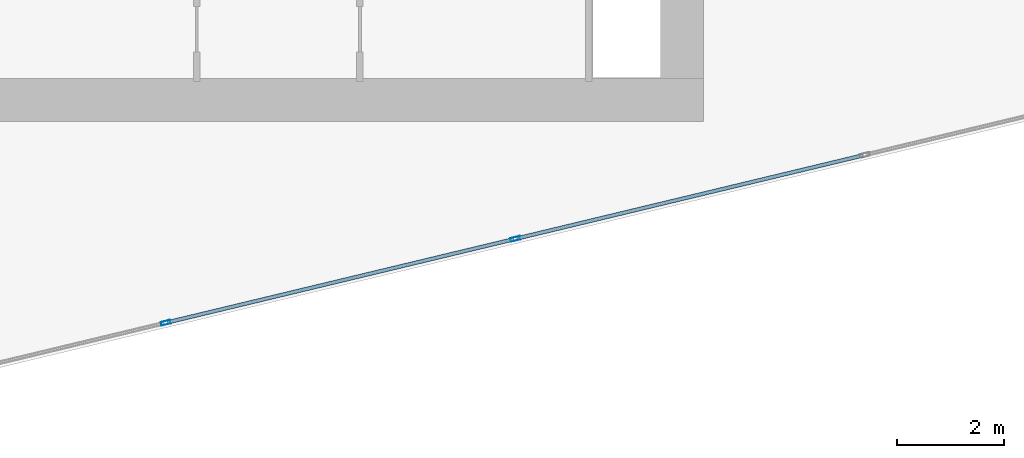
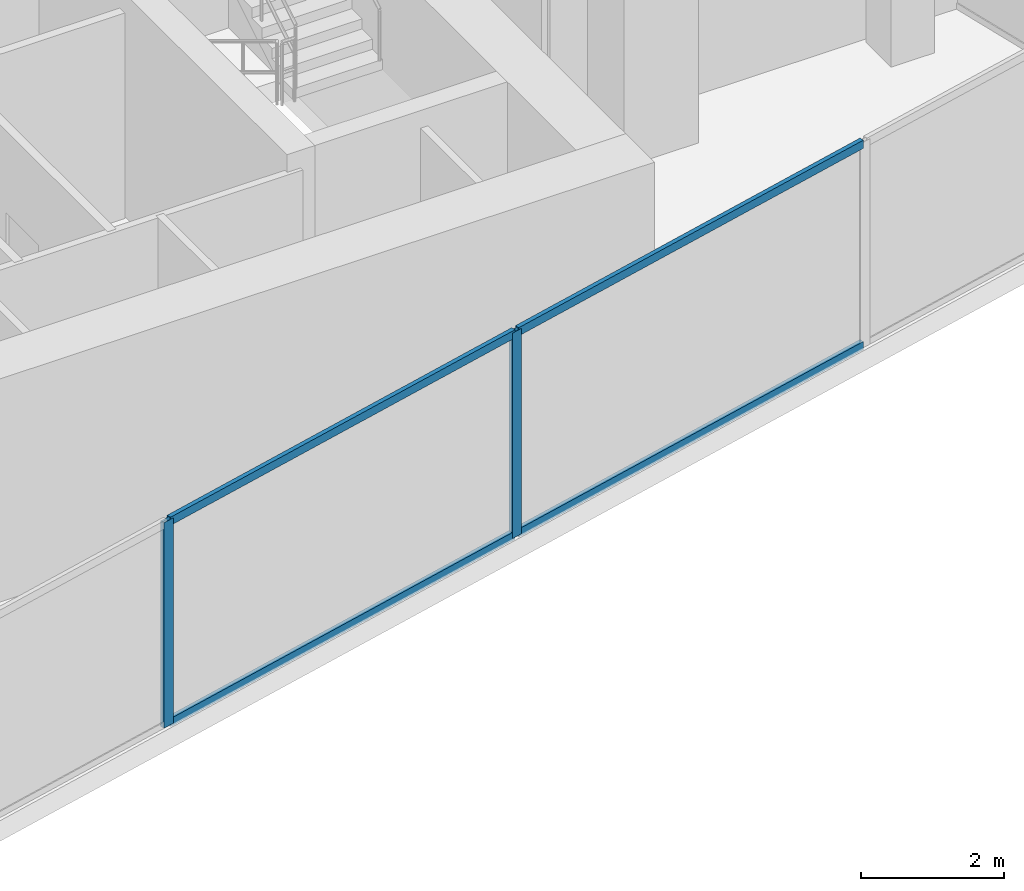
# One storey, part 4 of 19: 6 members, 1 element without a shape of its own.
"""IFC4 building model written with IfcOpenShell, lengths in metres."""

from ifc_helpers import new_model, si_unit, direction, frame, origin, origin_2d, place, context, subcontext, project, spatial, hollow_rectangle, extrude, source, transform, mapped, material, material_profile, profile_set, type_object, type_shapes, element, aggregate, save


model = new_model("IFC4")

# Units and contexts
model_context = context("Model", 3, precision=1e-05, world=origin(), true_north=direction((0.0, 1.0)))
body_context = subcontext(model_context, "Body", "Model", "MODEL_VIEW")
ifc_project = project(units=[si_unit("LENGTHUNIT", "METRE"), si_unit("AREAUNIT", "SQUARE_METRE"), si_unit("VOLUMEUNIT", "CUBIC_METRE"), si_unit("PLANEANGLEUNIT", "RADIAN"), si_unit("MASSUNIT", "GRAM", prefix="KILO")], contexts=[model_context])

# Site, building, storey
site_placement = place(None, origin())
site = spatial("IfcSite", under=ifc_project, at=site_placement, CompositionType="ELEMENT")
building_placement = place(site_placement, origin())
building = spatial("IfcBuilding", under=site, at=building_placement, Name="Krantzveldt Concourse Tower", CompositionType="ELEMENT")
storey_placement = place(building_placement, frame((0.0, 0.0, 363.25)))
storey = spatial("IfcBuildingStorey", under=building, at=storey_placement, Name="L89", CompositionType="ELEMENT", Elevation=363.25)

# Curtain wall, members
ifc_material = material(Name="Anodised aluminium 6063-T6", Category="aluminium")
curtain_wall_type = type_object("IfcCurtainWallType", Name="CW7", PredefinedType="USERDEFINED", material=ifc_material)
curtain_wall_placement = place(storey_placement, origin())
curtain_wall = element("IfcCurtainWall", 1, at=curtain_wall_placement, inside=storey, type_object=curtain_wall_type, Name="CW-L89-BASE-07", ObjectType="UNITISED CURTAIN WALL", PredefinedType="USERDEFINED")
ifc_material_profile_1 = material_profile(ifc_material, hollow_rectangle(XDim=0.070068359375, YDim=0.139892578125, WallThickness=0.0048828125, at=origin_2d()), Name="Anodised aluminium 6063-T6", Category="aluminium")
ifc_profile_set_1 = profile_set([ifc_material_profile_1], Name="Anodised aluminium 6063-T6 - ALU-TRAN 140x70x5")
member_type_1 = type_object("IfcMemberType", Name="CW-TRN-150", PredefinedType="USERDEFINED", material=ifc_profile_set_1)
shared_shape_1 = source(origin(), body_context, "Body", "SweptSolid", [
    extrude(hollow_rectangle(XDim=0.070068359375, YDim=0.139892578125, WallThickness=0.0048828125, at=origin_2d()), origin(), (0.0, 0.0, 1.0), 6.6298828125),
])
type_shapes(member_type_1, [shared_shape_1])
member_1_placement = place(storey_placement, frame((33.93359375, 6.756591796875, 0.034912109375), z_axis=(0.972374264437, 0.233427268888, 0.0), x_axis=(-0.233427268888, 0.972374264437, 0.0)))
member_1 = element("IfcMember", 2, at=member_1_placement, type_object=member_type_1, Name="CW-CRN transom 2.1", ObjectType="TRANSOM", PredefinedType="USERDEFINED", context=body_context, shape_type="MappedRepresentation", body=[
    mapped(shared_shape_1, transform((0.0, 0.0, 0.0), x_axis=(1.0, 0.0, 0.0), y_axis=(0.0, 1.0, 0.0), z_axis=(0.0, 0.0, 1.0), scale=1.0)),
])
member_2_placement = place(storey_placement, frame((33.93359375, 6.756591796875, 3.465087890625), z_axis=(0.972374264437, 0.233427268888, 0.0), x_axis=(-0.233427268888, 0.972374264437, 0.0)))
member_2 = element("IfcMember", 3, at=member_2_placement, type_object=member_type_1, Name="CW-CRN transom 2.2", ObjectType="TRANSOM", PredefinedType="USERDEFINED", context=body_context, shape_type="MappedRepresentation", body=[
    mapped(shared_shape_1, transform((0.0, 0.0, 0.0), x_axis=(1.0, 0.0, 0.0), y_axis=(0.0, 1.0, 0.0), z_axis=(0.0, 0.0, 1.0), scale=1.0)),
])
member_3_placement = place(storey_placement, frame((40.448486328125, 8.320556640625, 0.034912109375), z_axis=(0.972365905625, 0.233462085953, 0.0), x_axis=(-0.233462085953, 0.972365905625, 0.0)))
member_3 = element("IfcMember", 4, at=member_3_placement, type_object=member_type_1, Name="CW-CRN transom 3.1", ObjectType="TRANSOM", PredefinedType="USERDEFINED", context=body_context, shape_type="MappedRepresentation", body=[
    mapped(shared_shape_1, transform((0.0, 0.0, 0.0), x_axis=(1.0, 0.0, 0.0), y_axis=(0.0, 1.0, 0.0), z_axis=(0.0, 0.0, 1.0), scale=1.0)),
])
member_4_placement = place(storey_placement, frame((40.448486328125, 8.320556640625, 3.465087890625), z_axis=(0.972365905625, 0.233462085953, 0.0), x_axis=(-0.233462085953, 0.972365905625, 0.0)))
member_4 = element("IfcMember", 5, at=member_4_placement, type_object=member_type_1, Name="CW-CRN transom 3.2", ObjectType="TRANSOM", PredefinedType="USERDEFINED", context=body_context, shape_type="MappedRepresentation", body=[
    mapped(shared_shape_1, transform((0.0, 0.0, 0.0), x_axis=(1.0, 0.0, 0.0), y_axis=(0.0, 1.0, 0.0), z_axis=(0.0, 0.0, 1.0), scale=1.0)),
])
ifc_material_profile_2 = material_profile(ifc_material, hollow_rectangle(XDim=0.070068359375, YDim=0.179931640625, WallThickness=0.0048828125, at=origin_2d()), Name="Anodised aluminium 6063-T6", Category="aluminium")
ifc_profile_set_2 = profile_set([ifc_material_profile_2], Name="Anodised aluminium 6063-T6 - ALU-MULL 180x70x5")
member_type_2 = type_object("IfcMemberType", Name="CW-MUL-180", PredefinedType="MULLION", material=ifc_profile_set_2)
shared_shape_2 = source(origin(), body_context, "Body", "SweptSolid", [
    extrude(hollow_rectangle(XDim=0.070068359375, YDim=0.179931640625, WallThickness=0.0048828125, at=origin_2d()), origin(), (0.0, 0.0, 1.0), 3.5),
])
type_shapes(member_type_2, [shared_shape_2])
member_5_placement = place(storey_placement, frame((33.899658203125, 6.748291015625, 0.0), z_axis=(0.0, 0.0, 1.0), x_axis=(-0.233445461796, 0.972369896884, 0.0)))
member_5 = element("IfcMember", 6, at=member_5_placement, type_object=member_type_2, Name="CW-CRN mullion 2", PredefinedType="MULLION", context=body_context, shape_type="MappedRepresentation", body=[
    mapped(shared_shape_2, transform((0.0, 0.0, 0.0), x_axis=(1.0, 0.0, 0.0), y_axis=(0.0, 1.0, 0.0), z_axis=(0.0, 0.0, 1.0), scale=1.0)),
])
member_6_placement = place(storey_placement, frame((40.41455078125, 8.3125, 0.0), z_axis=(0.0, 0.0, 1.0), x_axis=(-0.233445461796, 0.972369896884, 0.0)))
member_6 = element("IfcMember", 7, at=member_6_placement, type_object=member_type_2, Name="CW-CRN mullion 3", PredefinedType="MULLION", context=body_context, shape_type="MappedRepresentation", body=[
    mapped(shared_shape_2, transform((0.0, 0.0, 0.0), x_axis=(1.0, 0.0, 0.0), y_axis=(0.0, 1.0, 0.0), z_axis=(0.0, 0.0, 1.0), scale=1.0)),
])
aggregate(curtain_wall, [member_5, member_6, member_1, member_2, member_3, member_4])

save(model, "model.ifc")
